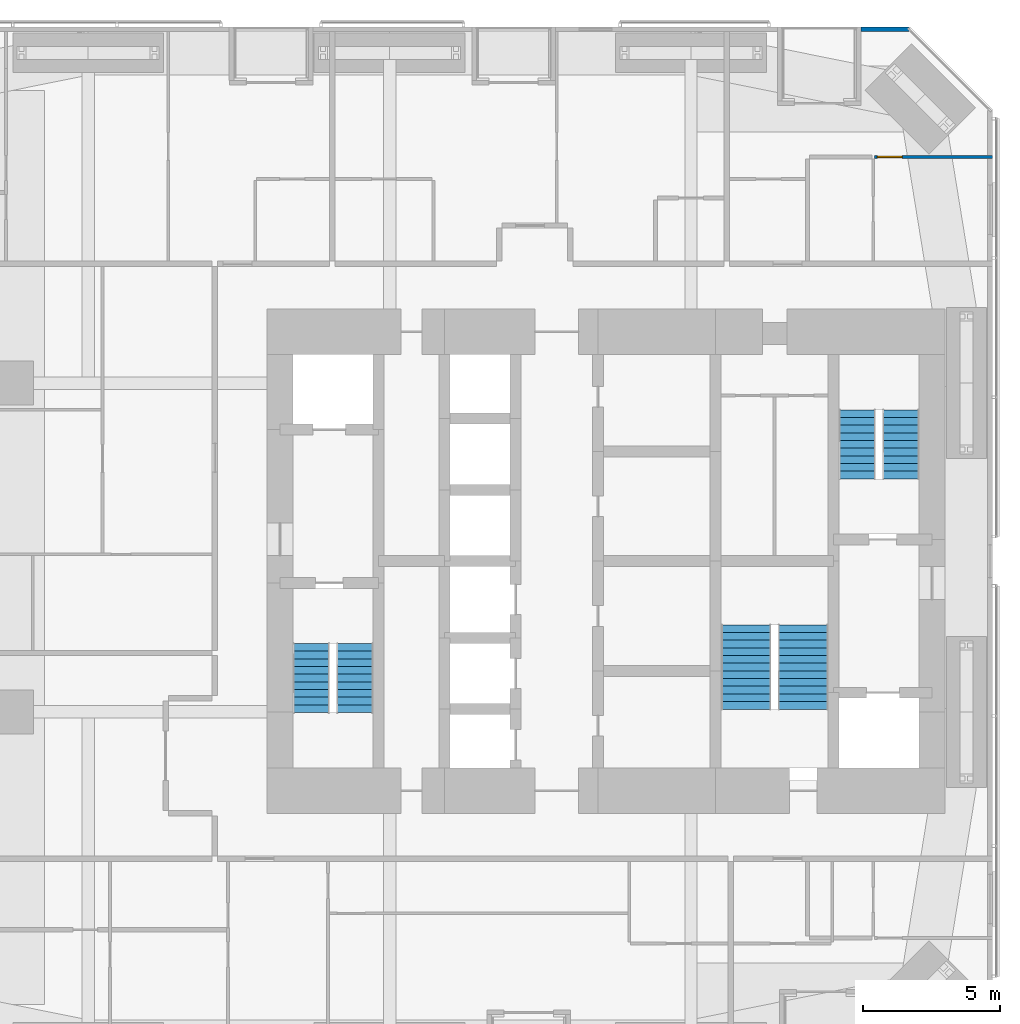
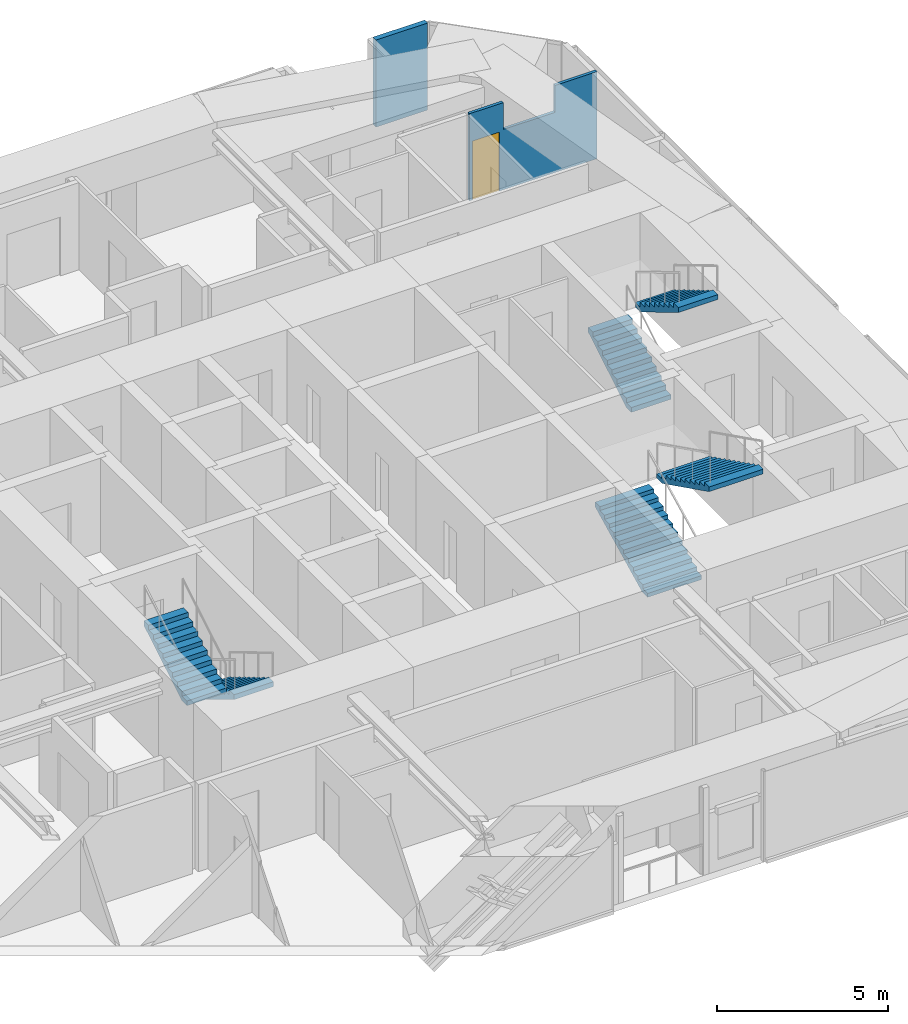
# One storey, part 23 of 24: 6 stair flights, 2 walls, 1 door, 1 opening, 3 elements without a shape of their own.
"""IFC4 building model written with IfcOpenShell, lengths in metres."""

from ifc_helpers import new_model, si_unit, direction, frame, frame_2d, origin, place, context, subcontext, project, spatial, polyline, rectangle, outline, extrude, material, constituent, constituent_set, type_object, element, fill, aggregate, save


model = new_model("IFC4")

# Units and contexts
model_context = context("Model", 3, precision=1e-05, world=origin(), true_north=direction((0.0, 1.0)))
body_context = subcontext(model_context, "Body", "Model", "MODEL_VIEW")
ifc_project = project(units=[si_unit("LENGTHUNIT", "METRE"), si_unit("AREAUNIT", "SQUARE_METRE"), si_unit("VOLUMEUNIT", "CUBIC_METRE"), si_unit("PLANEANGLEUNIT", "RADIAN"), si_unit("MASSUNIT", "GRAM", prefix="KILO")], contexts=[model_context])

# Site, building, storey
site_placement = place(None, origin())
site = spatial("IfcSite", under=ifc_project, at=site_placement, CompositionType="ELEMENT")
building_placement = place(site_placement, origin())
building = spatial("IfcBuilding", under=site, at=building_placement, Name="Jalousie Tower", CompositionType="ELEMENT")
storey_placement = place(building_placement, frame((0.0, 0.0, 47.800048828125)))
storey = spatial("IfcBuildingStorey", under=building, at=storey_placement, Name="L12", CompositionType="ELEMENT", Elevation=47.800048828125)

# Wall
ifc_material_1 = material(Name="Concrete f'c 40 MPa", Category="concrete")
ifc_constituent_1 = constituent(ifc_material_1, Name="Body")
ifc_material_2 = material(Name="Render, pastel coral")
ifc_constituent_2 = constituent(ifc_material_2, Name="Finish")
ifc_constituent_set_1 = constituent_set(constituents=[ifc_constituent_1, ifc_constituent_2])
wall_type_1 = type_object("IfcWallType", Name="EXTERNAL WALL 175 CORAL RENDER", PredefinedType="SOLIDWALL", material=ifc_constituent_set_1)
wall_1_placement = place(storey_placement, frame((42.94873046875, 37.91259765625, 0.0), z_axis=(0.0, 0.0, 1.0), x_axis=(-1.0, 0.0, 0.0)))
element("IfcWall", 1, at=wall_1_placement, inside=storey, type_object=wall_type_1, Name="External Wall 175 Coral Render L12", PredefinedType="SOLIDWALL", context=body_context, shape_type="SweptSolid", body=[
    extrude(rectangle(XDim=1.75, YDim=0.175048828125, at=frame_2d((0.875, 0.0))), origin(), (0.0, 0.0, 1.0), 3.10986328125),
])

# Wall, opening, door
ifc_material_3 = material(Name="Gypsum board", Category="gypsum")
ifc_constituent_3 = constituent(ifc_material_3, Name="Body")
ifc_material_4 = material(Name="Light-gauge steel studs ASTM A653 SS Grade 33", Category="steel")
ifc_constituent_4 = constituent(ifc_material_4, Name="Framing")
ifc_constituent_set_2 = constituent_set(constituents=[ifc_constituent_3, ifc_constituent_4])
wall_type_2 = type_object("IfcWallType", Name="PARTITION 100", PredefinedType="PARTITIONING", material=ifc_constituent_set_2)
wall_2_placement = place(storey_placement, frame((41.699951171875, 33.25341796875, 0.0), z_axis=(0.0, 0.0, 1.0), x_axis=(1.0, 0.0, 0.0)))
wall_2 = element("IfcWall", 2, at=wall_2_placement, inside=storey, type_object=wall_type_2, Name="Partition 100 L12", PredefinedType="PARTITIONING", context=body_context, shape_type="SweptSolid", body=[
    extrude(outline(polyline([(0.0, 0.0), (4.300048828125, 0.0), (4.300048828125, 3.10986328125), (2.8828125, 3.10986328125), (2.8828125, 2.14990234375), (1.140380859375, 2.14990234375), (1.140380859375, 3.10986328125), (0.0, 3.10986328125), (0.0, 0.0)])), frame((0.0, 0.050048828125, 0.0), z_axis=(0.0, -1.0, 0.0), x_axis=(1.0, 0.0, 0.0)), (0.0, 0.0, 1.0), 0.10009765625),
])
opening_placement = place(wall_2_placement, frame((0.10009765625, 0.0, 0.0)))
opening = element("IfcOpeningElement", 3, at=opening_placement, cuts=wall_2, Name="Opening D2", PredefinedType="OPENING", context=body_context, shape_type="SweptSolid", body=[
    extrude(rectangle(XDim=0.89990234375, YDim=2.10009765625, at=frame_2d((0.449951171875, 1.050048828125))), frame((0.0, 0.06005859375, 0.0), z_axis=(0.0, -1.0, 0.0), x_axis=(1.0, 0.0, 0.0)), (0.0, 0.0, 1.0), 0.1201171875),
])
ifc_material_5 = material(Name="Timber door", Category="wood")
door_type = type_object("IfcDoorType", Name="BEDROOM DOOR 900", OperationType="SINGLE_SWING_LEFT", PredefinedType="DOOR", material=ifc_material_5)
door_placement = place(opening_placement, frame((0.89990234375, 0.0, 0.0), z_axis=(0.0, 0.0, 1.0), x_axis=(-1.0, 0.0, 0.0)))
door = element("IfcDoor", 4, at=door_placement, inside=storey, type_object=door_type, Name="Apartment 1205 bedroom 1 door", OperationType="SINGLE_SWING_RIGHT", OverallHeight=2.10009765625, OverallWidth=0.89990234375, PredefinedType="DOOR", context=body_context, shape_type="SweptSolid", body=[
    extrude(rectangle(XDim=0.89990234375, YDim=2.10009765625, at=frame_2d((0.449951171875, 1.050048828125))), frame((0.0, 0.02490234375, 0.0), z_axis=(0.0, -1.0, 0.0), x_axis=(1.0, 0.0, 0.0)), (0.0, 0.0, 1.0), 0.050048828125),
])
fill(opening, door)

# Stair, stair flights
ifc_material_6 = material(Name="Concrete f'c 40 MPa", Category="concrete")
stair_type = type_object("IfcStairType", Name="EXIT STAIR", PredefinedType="HALF_TURN_STAIR", material=ifc_material_6)
stair_1_placement = place(storey_placement, origin())
stair_1 = element("IfcStair", 5, at=stair_1_placement, inside=storey, type_object=stair_type, Name="Exit stair A L12", PredefinedType="HALF_TURN_STAIR")
ifc_material_7 = material(Name="Concrete f'c 40 MPa", Category="concrete")
stair_flight_type = type_object("IfcStairFlightType", Name="STAIR FLIGHT", PredefinedType="STRAIGHT", material=ifc_material_7)
stair_flight_1_placement = place(storey_placement, frame((22.731201171875, 15.49755859375, 0.0), z_axis=(0.0, 0.0, 1.0), x_axis=(0.0, -1.0, 0.0)))
stair_flight_1 = element("IfcStairFlight", 6, at=stair_flight_1_placement, type_object=stair_flight_type, Name="ST-A flight 1", NumberOfRisers=10, NumberOfTreads=9, PredefinedType="STRAIGHT", RiserHeight=0.1675, TreadLength=0.28, context=body_context, shape_type="SweptSolid", body=[
    extrude(outline(polyline([(0.0, 0.0), (0.0, 0.16748046875), (0.280029296875, 0.16748046875), (0.280029296875, 0.3349609375), (0.56005859375, 0.3349609375), (0.56005859375, 0.50244140625), (0.840087890625, 0.50244140625), (0.840087890625, 0.669921875), (1.1201171875, 0.669921875), (1.1201171875, 0.83740234375), (1.39990234375, 0.83740234375), (1.39990234375, 1.0048828125), (1.679931640625, 1.0048828125), (1.679931640625, 1.172607421875), (1.9599609375, 1.172607421875), (1.9599609375, 1.340087890625), (2.239990234375, 1.340087890625), (2.239990234375, 1.507568359375), (2.52001953125, 1.507568359375), (2.52001953125, 1.675048828125), (2.52001953125, 1.332763671875), (0.2919921875, 0.0), (0.0, 0.0)])), frame((0.0, 0.668701171875, 0.0), z_axis=(0.0, -1.0, 0.0), x_axis=(1.0, 0.0, 0.0)), (0.0, 0.0, 1.0), 1.33740234375),
])
stair_flight_2_placement = place(storey_placement, frame((21.143798828125, 12.9775390625, 1.675048828125), z_axis=(0.0, 0.0, 1.0), x_axis=(0.0, 1.0, 0.0)))
stair_flight_2 = element("IfcStairFlight", 7, at=stair_flight_2_placement, type_object=stair_flight_type, Name="ST-A flight 2", NumberOfRisers=10, NumberOfTreads=9, PredefinedType="STRAIGHT", RiserHeight=0.1675, TreadLength=0.28, context=body_context, shape_type="SweptSolid", body=[
    extrude(outline(polyline([(0.0, 0.0), (0.0, 0.16748046875), (0.280029296875, 0.16748046875), (0.280029296875, 0.3349609375), (0.56005859375, 0.3349609375), (0.56005859375, 0.50244140625), (0.840087890625, 0.50244140625), (0.840087890625, 0.669921875), (1.1201171875, 0.669921875), (1.1201171875, 0.83740234375), (1.39990234375, 0.83740234375), (1.39990234375, 1.0048828125), (1.679931640625, 1.0048828125), (1.679931640625, 1.172607421875), (1.9599609375, 1.172607421875), (1.9599609375, 1.340087890625), (2.239990234375, 1.340087890625), (2.239990234375, 1.507568359375), (2.52001953125, 1.507568359375), (2.52001953125, 1.675048828125), (2.52001953125, 1.332763671875), (0.2919921875, 0.0), (0.0, 0.0)])), frame((0.0, 0.668701171875, 0.0), z_axis=(0.0, -1.0, 0.0), x_axis=(1.0, 0.0, 0.0)), (0.0, 0.0, 1.0), 1.33740234375),
])
aggregate(stair_1, [stair_flight_1, stair_flight_2])

stair_2_placement = place(storey_placement, origin())
stair_2 = element("IfcStair", 8, at=stair_2_placement, inside=storey, type_object=stair_type, Name="Exit stair B L12", PredefinedType="HALF_TURN_STAIR")
stair_flight_3_placement = place(storey_placement, frame((41.06884765625, 21.50244140625, 0.0), z_axis=(0.0, 0.0, 1.0), x_axis=(0.0, 1.0, 0.0)))
stair_flight_3 = element("IfcStairFlight", 9, at=stair_flight_3_placement, type_object=stair_flight_type, Name="ST-B flight 1", NumberOfRisers=10, NumberOfTreads=9, PredefinedType="STRAIGHT", RiserHeight=0.1675, TreadLength=0.28, context=body_context, shape_type="SweptSolid", body=[
    extrude(outline(polyline([(0.0, 0.0), (0.0, 0.16748046875), (0.280029296875, 0.16748046875), (0.280029296875, 0.3349609375), (0.56005859375, 0.3349609375), (0.56005859375, 0.50244140625), (0.840087890625, 0.50244140625), (0.840087890625, 0.669921875), (1.1201171875, 0.669921875), (1.1201171875, 0.83740234375), (1.39990234375, 0.83740234375), (1.39990234375, 1.0048828125), (1.679931640625, 1.0048828125), (1.679931640625, 1.172607421875), (1.9599609375, 1.172607421875), (1.9599609375, 1.340087890625), (2.239990234375, 1.340087890625), (2.239990234375, 1.507568359375), (2.52001953125, 1.507568359375), (2.52001953125, 1.675048828125), (2.52001953125, 1.332763671875), (0.2919921875, 0.0), (0.0, 0.0)])), frame((0.0, 0.668701171875, 0.0), z_axis=(0.0, -1.0, 0.0), x_axis=(1.0, 0.0, 0.0)), (0.0, 0.0, 1.0), 1.33740234375),
])
stair_flight_4_placement = place(storey_placement, frame((42.65625, 24.0224609375, 1.675048828125), z_axis=(0.0, 0.0, 1.0), x_axis=(0.0, -1.0, 0.0)))
stair_flight_4 = element("IfcStairFlight", 10, at=stair_flight_4_placement, type_object=stair_flight_type, Name="ST-B flight 2", NumberOfRisers=10, NumberOfTreads=9, PredefinedType="STRAIGHT", RiserHeight=0.1675, TreadLength=0.28, context=body_context, shape_type="SweptSolid", body=[
    extrude(outline(polyline([(0.0, 0.0), (0.0, 0.16748046875), (0.280029296875, 0.16748046875), (0.280029296875, 0.3349609375), (0.56005859375, 0.3349609375), (0.56005859375, 0.50244140625), (0.840087890625, 0.50244140625), (0.840087890625, 0.669921875), (1.1201171875, 0.669921875), (1.1201171875, 0.83740234375), (1.39990234375, 0.83740234375), (1.39990234375, 1.0048828125), (1.679931640625, 1.0048828125), (1.679931640625, 1.172607421875), (1.9599609375, 1.172607421875), (1.9599609375, 1.340087890625), (2.239990234375, 1.340087890625), (2.239990234375, 1.507568359375), (2.52001953125, 1.507568359375), (2.52001953125, 1.675048828125), (2.52001953125, 1.332763671875), (0.2919921875, 0.0), (0.0, 0.0)])), frame((0.0, 0.668701171875, 0.0), z_axis=(0.0, -1.0, 0.0), x_axis=(1.0, 0.0, 0.0)), (0.0, 0.0, 1.0), 1.33740234375),
])
aggregate(stair_2, [stair_flight_3, stair_flight_4])

stair_3_placement = place(storey_placement, origin())
stair_3 = element("IfcStair", 11, at=stair_3_placement, inside=storey, type_object=stair_type, Name="Exit stair C L12", PredefinedType="HALF_TURN_STAIR")
stair_flight_5_placement = place(storey_placement, frame((37.012451171875, 13.097412109375, 0.0), z_axis=(0.0, 0.0, 1.0), x_axis=(0.0, 1.0, 0.0)))
stair_flight_5 = element("IfcStairFlight", 12, at=stair_flight_5_placement, type_object=stair_flight_type, Name="ST-C flight 1", NumberOfRisers=12, NumberOfTreads=11, PredefinedType="STRAIGHT", RiserHeight=0.139583333, TreadLength=0.28, context=body_context, shape_type="SweptSolid", body=[
    extrude(outline(polyline([(0.0, 0.0), (0.0, 0.1396484375), (0.280029296875, 0.1396484375), (0.280029296875, 0.279052734375), (0.56005859375, 0.279052734375), (0.56005859375, 0.418701171875), (0.840087890625, 0.418701171875), (0.840087890625, 0.558349609375), (1.1201171875, 0.558349609375), (1.1201171875, 0.697998046875), (1.39990234375, 0.697998046875), (1.39990234375, 0.83740234375), (1.679931640625, 0.83740234375), (1.679931640625, 0.97705078125), (1.9599609375, 0.97705078125), (1.9599609375, 1.11669921875), (2.239990234375, 1.11669921875), (2.239990234375, 1.25634765625), (2.52001953125, 1.25634765625), (2.52001953125, 1.395751953125), (2.800048828125, 1.395751953125), (2.800048828125, 1.535400390625), (3.080078125, 1.535400390625), (3.080078125, 1.675048828125), (3.080078125, 1.367919921875), (0.3359375, 0.0), (0.0, 0.0)])), frame((0.0, 0.91259765625, 0.0), z_axis=(0.0, -1.0, 0.0), x_axis=(1.0, 0.0, 0.0)), (0.0, 0.0, 1.0), 1.824951171875),
])
stair_flight_6_placement = place(storey_placement, frame((39.08740234375, 16.177490234375, 1.675048828125), z_axis=(0.0, 0.0, 1.0), x_axis=(0.0, -1.0, 0.0)))
stair_flight_6 = element("IfcStairFlight", 13, at=stair_flight_6_placement, type_object=stair_flight_type, Name="ST-C flight 2", NumberOfRisers=12, NumberOfTreads=11, PredefinedType="STRAIGHT", RiserHeight=0.139583333, TreadLength=0.28, context=body_context, shape_type="SweptSolid", body=[
    extrude(outline(polyline([(0.0, 0.0), (0.0, 0.1396484375), (0.280029296875, 0.1396484375), (0.280029296875, 0.279052734375), (0.56005859375, 0.279052734375), (0.56005859375, 0.418701171875), (0.840087890625, 0.418701171875), (0.840087890625, 0.558349609375), (1.1201171875, 0.558349609375), (1.1201171875, 0.697998046875), (1.39990234375, 0.697998046875), (1.39990234375, 0.83740234375), (1.679931640625, 0.83740234375), (1.679931640625, 0.97705078125), (1.9599609375, 0.97705078125), (1.9599609375, 1.11669921875), (2.239990234375, 1.11669921875), (2.239990234375, 1.25634765625), (2.52001953125, 1.25634765625), (2.52001953125, 1.395751953125), (2.800048828125, 1.395751953125), (2.800048828125, 1.535400390625), (3.080078125, 1.535400390625), (3.080078125, 1.675048828125), (3.080078125, 1.367919921875), (0.3359375, 0.0), (0.0, 0.0)])), frame((0.0, 0.91259765625, 0.0), z_axis=(0.0, -1.0, 0.0), x_axis=(1.0, 0.0, 0.0)), (0.0, 0.0, 1.0), 1.824951171875),
])
aggregate(stair_3, [stair_flight_5, stair_flight_6])

save(model, "model.ifc")
